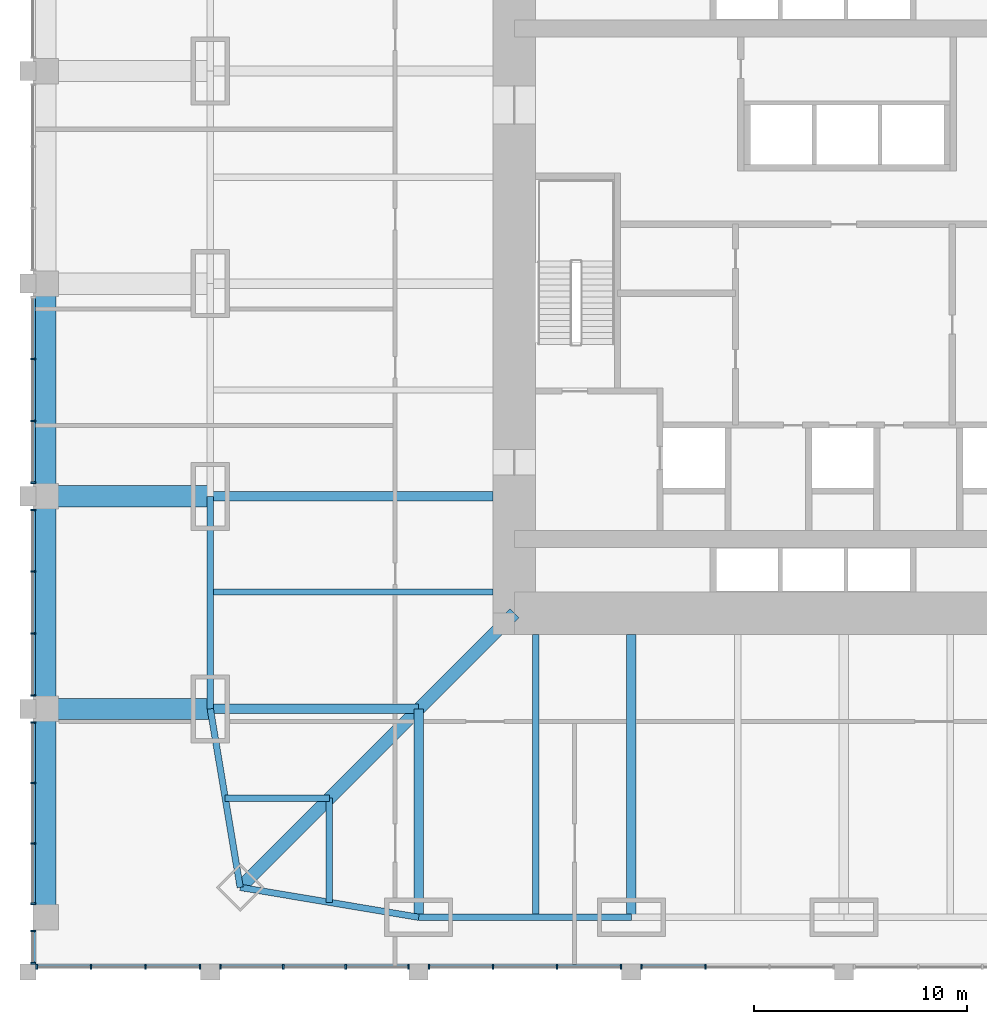
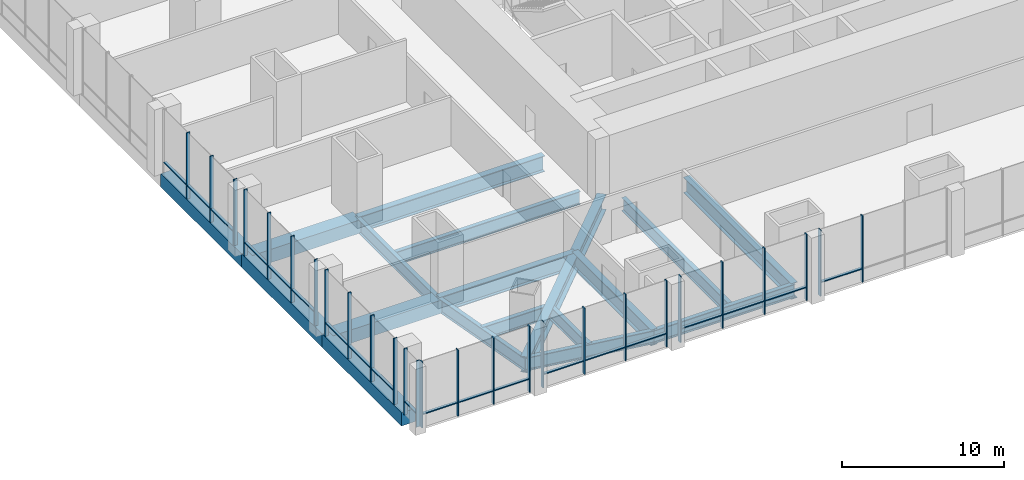
# One storey, part 2 of 24: 47 members, 18 beams, 8 elements without a shape of their own.
"""IFC4 building model written with IfcOpenShell, lengths in metres."""

from ifc_helpers import new_model, si_unit, direction, frame, origin, origin_2d, place, context, subcontext, project, spatial, rectangle, i_section, extrude, material, material_profile, profile_set, type_object, element, aggregate, save


model = new_model("IFC4")

# Units and contexts
model_context = context("Model", 3, precision=1e-05, world=origin(), true_north=direction((0.0, 1.0)))
body_context = subcontext(model_context, "Body", "Model", "MODEL_VIEW")
ifc_project = project(units=[si_unit("LENGTHUNIT", "METRE"), si_unit("AREAUNIT", "SQUARE_METRE"), si_unit("VOLUMEUNIT", "CUBIC_METRE"), si_unit("PLANEANGLEUNIT", "RADIAN"), si_unit("MASSUNIT", "GRAM", prefix="KILO")], contexts=[model_context])

# Site, building, storey
site_placement = place(None, origin())
site = spatial("IfcSite", under=ifc_project, at=site_placement, CompositionType="ELEMENT")
building_placement = place(site_placement, origin())
building = spatial("IfcBuilding", under=site, at=building_placement, Name="Khuree Lantern Residences", CompositionType="ELEMENT")
storey_placement = place(building_placement, frame((0.0, 0.0, 11.0)))
storey = spatial("IfcBuildingStorey", under=building, at=storey_placement, Name="L02", CompositionType="ELEMENT", Elevation=11.0)

# Beams
ifc_material_1 = material(Name="Steel S355", Category="steel")
ifc_material_profile_1 = material_profile(ifc_material_1, i_section(OverallWidth=0.300048828125, OverallDepth=1.0, WebThickness=0.01904296875, FlangeThickness=0.035888671875, FilletRadius=0.030029296875, at=origin_2d()), Name="HE 1000 B")
ifc_profile_set_1 = profile_set([ifc_material_profile_1], Name="Steel S355")
beam_type_1 = type_object("IfcBeamType", Name="B-02 SECONDARY BEAM HE 1000 B", PredefinedType="BEAM", material=ifc_profile_set_1)
beam_1_placement = place(storey_placement, frame((-14.5, -29.800048828125, -0.800048828125), z_axis=(0.0, 1.0, 0.0), x_axis=(-1.0, 0.0, 0.0)))
element("IfcBeam", 1, at=beam_1_placement, inside=storey, type_object=beam_type_1, Name="Secondary beam S5", PredefinedType="BEAM", context=body_context, shape_type="SweptSolid", body=[
    extrude(i_section(OverallWidth=0.300048828125, OverallDepth=1.0, WebThickness=0.01904296875, FlangeThickness=0.035888671875, FilletRadius=0.030029296875, at=origin_2d()), origin(), (0.0, 0.0, 1.0), 13.300048828125),
])
for number, where, z_axis, x_axis, name in (
    (2, (-24.197021484375, -29.09716796875, -0.800048828125), (0.0, 1.0, 0.0), (-1.0, 0.0, 0.0), "Secondary beam S6"),
    (3, (-29.09716796875, -24.197021484375, -0.800048828125), (1.0, 0.0, 0.0), (0.0, 1.0, 0.0), "Secondary beam W1"),
):
    element("IfcBeam", number, at=place(storey_placement, frame(where, z_axis=z_axis, x_axis=x_axis)), inside=storey, type_object=beam_type_1, Name=name, PredefinedType="BEAM", context=body_context, shape_type="SweptSolid", body=[
        extrude(i_section(OverallWidth=0.300048828125, OverallDepth=1.0, WebThickness=0.01904296875, FlangeThickness=0.035888671875, FilletRadius=0.030029296875, at=origin_2d()), origin(), (0.0, 0.0, 1.0), 4.900146484375),
    ])
beam_2_placement = place(storey_placement, frame((-29.800048828125, -14.5, -0.800048828125), z_axis=(1.0, 0.0, 0.0), x_axis=(0.0, 1.0, 0.0)))
element("IfcBeam", 4, at=beam_2_placement, inside=storey, type_object=beam_type_1, Name="Secondary beam W2", PredefinedType="BEAM", context=body_context, shape_type="SweptSolid", body=[
    extrude(i_section(OverallWidth=0.300048828125, OverallDepth=1.0, WebThickness=0.01904296875, FlangeThickness=0.035888671875, FilletRadius=0.030029296875, at=origin_2d()), origin(), (0.0, 0.0, 1.0), 13.300048828125),
])
ifc_material_profile_2 = material_profile(ifc_material_1, i_section(OverallWidth=0.300048828125, OverallDepth=1.0, WebThickness=0.01904296875, FlangeThickness=0.035888671875, FilletRadius=0.030029296875, at=origin_2d()), Name="HE 1000 B")
ifc_profile_set_2 = profile_set([ifc_material_profile_2], Name="Steel S355")
beam_type_2 = type_object("IfcBeamType", Name="E-02 SPANDREL BEAM HE 1000 B", PredefinedType="SPANDREL", material=ifc_profile_set_2)
beam_3_placement = place(storey_placement, frame((-10.0, -29.800048828125, -0.800048828125), z_axis=(-1.0, 0.0, 0.0), x_axis=(0.0, -1.0, 0.0)))
element("IfcBeam", 5, at=beam_3_placement, inside=storey, type_object=beam_type_2, Name="Spandrel beam S5", PredefinedType="SPANDREL", context=body_context, shape_type="SweptSolid", body=[
    extrude(i_section(OverallWidth=0.300048828125, OverallDepth=1.0, WebThickness=0.01904296875, FlangeThickness=0.035888671875, FilletRadius=0.030029296875, at=origin_2d()), origin(), (0.0, 0.0, 1.0), 10.0),
])
for number, where, z_axis, x_axis, name in (
    (6, (-20.0, -29.800048828125, -0.800048828125), (-0.986260251158, 0.165199022349, 0.0), (-0.165199022349, -0.986260251158, 0.0), "Spandrel beam S6"),
    (7, (-28.39404296875, -28.39404296875, -0.800048828125), (-0.165199022349, 0.986260251158, 0.0), (-0.986260251158, -0.165199022349, 0.0), "Spandrel beam W1"),
):
    element("IfcBeam", number, at=place(storey_placement, frame(where, z_axis=z_axis, x_axis=x_axis)), inside=storey, type_object=beam_type_2, Name=name, PredefinedType="SPANDREL", context=body_context, shape_type="SweptSolid", body=[
        extrude(i_section(OverallWidth=0.300048828125, OverallDepth=1.0, WebThickness=0.01904296875, FlangeThickness=0.035888671875, FilletRadius=0.030029296875, at=origin_2d()), origin(), (0.0, 0.0, 1.0), 8.510986328125),
    ])
beam_4_placement = place(storey_placement, frame((-29.800048828125, -20.0, -0.800048828125), z_axis=(0.0, 1.0, 0.0), x_axis=(-1.0, 0.0, 0.0)))
element("IfcBeam", 8, at=beam_4_placement, inside=storey, type_object=beam_type_2, Name="Spandrel beam W2", PredefinedType="SPANDREL", context=body_context, shape_type="SweptSolid", body=[
    extrude(i_section(OverallWidth=0.300048828125, OverallDepth=1.0, WebThickness=0.01904296875, FlangeThickness=0.035888671875, FilletRadius=0.030029296875, at=origin_2d()), origin(), (0.0, 0.0, 1.0), 10.0),
])
ifc_material_profile_3 = material_profile(ifc_material_1, i_section(OverallWidth=0.449951171875, OverallDepth=1.199951171875, WebThickness=0.02490234375, FlangeThickness=0.044921875, at=origin_2d()), Name="WELDED I 1200X450X25X45")
ifc_profile_set_3 = profile_set([ifc_material_profile_3], Name="Steel S355")
beam_type_3 = type_object("IfcBeamType", Name="G-02 GIRDER WELDED I 1200X450X25X45", PredefinedType="BEAM", material=ifc_profile_set_3)
beam_5_placement = place(storey_placement, frame((-10.0, -29.800048828125, -0.89990234375), z_axis=(0.0, 1.0, 0.0), x_axis=(-1.0, 0.0, 0.0)))
element("IfcBeam", 9, at=beam_5_placement, inside=storey, type_object=beam_type_3, Name="Girder S4", PredefinedType="BEAM", context=body_context, shape_type="SweptSolid", body=[
    extrude(i_section(OverallWidth=0.449951171875, OverallDepth=1.199951171875, WebThickness=0.02490234375, FlangeThickness=0.044921875, at=origin_2d()), origin(), (0.0, 0.0, 1.0), 13.300048828125),
])
for number, where, z_axis, x_axis, name in (
    (10, (-20.0, -29.800048828125, -0.89990234375), (0.0, 1.0, 0.0), (-1.0, 0.0, 0.0), "Girder S5"),
    (11, (-29.800048828125, -20.0, -0.89990234375), (1.0, 0.0, 0.0), (0.0, 1.0, 0.0), "Girder W1"),
):
    element("IfcBeam", number, at=place(storey_placement, frame(where, z_axis=z_axis, x_axis=x_axis)), inside=storey, type_object=beam_type_3, Name=name, PredefinedType="BEAM", context=body_context, shape_type="SweptSolid", body=[
        extrude(i_section(OverallWidth=0.449951171875, OverallDepth=1.199951171875, WebThickness=0.02490234375, FlangeThickness=0.044921875, at=origin_2d()), origin(), (0.0, 0.0, 1.0), 9.800048828125),
    ])
beam_6_placement = place(storey_placement, frame((-29.800048828125, -10.0, -0.89990234375), z_axis=(1.0, 0.0, 0.0), x_axis=(0.0, 1.0, 0.0)))
element("IfcBeam", 12, at=beam_6_placement, inside=storey, type_object=beam_type_3, Name="Girder W2", PredefinedType="BEAM", context=body_context, shape_type="SweptSolid", body=[
    extrude(i_section(OverallWidth=0.449951171875, OverallDepth=1.199951171875, WebThickness=0.02490234375, FlangeThickness=0.044921875, at=origin_2d()), origin(), (0.0, 0.0, 1.0), 13.300048828125),
])
ifc_material_profile_4 = material_profile(ifc_material_1, i_section(OverallWidth=0.60009765625, OverallDepth=1.199951171875, WebThickness=0.030029296875, FlangeThickness=0.06005859375, at=origin_2d()), Name="WELDED I 1200X600X30X60")
ifc_profile_set_4 = profile_set([ifc_material_profile_4], Name="Steel S355")
beam_type_4 = type_object("IfcBeamType", Name="GD-02 CORNER GIRDER WELDED I 1200X600X30X60", PredefinedType="BEAM", material=ifc_profile_set_4)
beam_7_placement = place(storey_placement, frame((-28.39404296875, -28.39404296875, -0.89990234375), z_axis=(0.707106781187, 0.707106781187, 0.0), x_axis=(-0.707106781187, 0.707106781187, 0.0)))
element("IfcBeam", 13, at=beam_7_placement, inside=storey, type_object=beam_type_4, Name="Corner girder SW", PredefinedType="BEAM", context=body_context, shape_type="SweptSolid", body=[
    extrude(i_section(OverallWidth=0.60009765625, OverallDepth=1.199951171875, WebThickness=0.030029296875, FlangeThickness=0.06005859375, at=origin_2d()), origin(), (0.0, 0.0, 1.0), 18.23486328125),
])

# Curtain wall, members
ifc_material_2 = material(Name="Bronze anodised aluminium", Category="aluminium")
curtain_wall_type = type_object("IfcCurtainWallType", Name="CW-P PODIUM STOREFRONT CURTAIN WALL", PredefinedType="USERDEFINED", material=ifc_material_2)
curtain_wall_1_placement = place(storey_placement, origin())
curtain_wall_1 = element("IfcCurtainWall", 14, at=curtain_wall_1_placement, inside=storey, type_object=curtain_wall_type, Name="L02 SOUTH FACE BAY 1 STOREFRONT", ObjectType="Storefront curtain wall", PredefinedType="USERDEFINED")
ifc_material_profile_5 = material_profile(ifc_material_2, rectangle(XDim=0.074951171875, YDim=0.25, at=origin_2d()), Name="M5 75X250")
ifc_profile_set_5 = profile_set([ifc_material_profile_5], Name="Bronze anodised aluminium")
member_type_1 = type_object("IfcMemberType", Name="MULLION M5 STOREFRONT 75X250", PredefinedType="MULLION", material=ifc_profile_set_5)
member_1_placement = place(storey_placement, frame((-37.96240234375, -32.125, 0.0), z_axis=(0.0, 0.0, 1.0), x_axis=(1.0, 0.0, 0.0)))
member_1 = element("IfcMember", 15, at=member_1_placement, type_object=member_type_1, Name="L02 SOUTH FACE BAY 1 MULLION 1", PredefinedType="MULLION", context=body_context, shape_type="SweptSolid", body=[
    extrude(rectangle(XDim=0.074951171875, YDim=0.25, at=origin_2d()), origin(), (0.0, 0.0, 1.0), 5.0),
])
member_2_placement = place(storey_placement, frame((-35.404052734375, -32.125, 0.0), z_axis=(0.0, 0.0, 1.0), x_axis=(1.0, 0.0, 0.0)))
member_2 = element("IfcMember", 16, at=member_2_placement, type_object=member_type_1, Name="L02 SOUTH FACE BAY 1 MULLION 2", PredefinedType="MULLION", context=body_context, shape_type="SweptSolid", body=[
    extrude(rectangle(XDim=0.074951171875, YDim=0.25, at=origin_2d()), origin(), (0.0, 0.0, 1.0), 5.0),
])
member_3_placement = place(storey_placement, frame((-32.845947265625, -32.125, 0.0), z_axis=(0.0, 0.0, 1.0), x_axis=(1.0, 0.0, 0.0)))
member_3 = element("IfcMember", 17, at=member_3_placement, type_object=member_type_1, Name="L02 SOUTH FACE BAY 1 MULLION 3", PredefinedType="MULLION", context=body_context, shape_type="SweptSolid", body=[
    extrude(rectangle(XDim=0.074951171875, YDim=0.25, at=origin_2d()), origin(), (0.0, 0.0, 1.0), 5.0),
])
member_4_placement = place(storey_placement, frame((-30.28759765625, -32.125, 0.0), z_axis=(0.0, 0.0, 1.0), x_axis=(1.0, 0.0, 0.0)))
member_4 = element("IfcMember", 18, at=member_4_placement, type_object=member_type_1, Name="L02 SOUTH FACE BAY 1 MULLION 4", PredefinedType="MULLION", context=body_context, shape_type="SweptSolid", body=[
    extrude(rectangle(XDim=0.074951171875, YDim=0.25, at=origin_2d()), origin(), (0.0, 0.0, 1.0), 5.0),
])

curtain_wall_2_placement = place(storey_placement, origin())
curtain_wall_2 = element("IfcCurtainWall", 19, at=curtain_wall_2_placement, inside=storey, type_object=curtain_wall_type, Name="L02 SOUTH FACE BAY 2 STOREFRONT", ObjectType="Storefront curtain wall", PredefinedType="USERDEFINED")
member_5_placement = place(storey_placement, frame((-29.3125, -32.125, 0.0), z_axis=(0.0, 0.0, 1.0), x_axis=(1.0, 0.0, 0.0)))
member_5 = element("IfcMember", 20, at=member_5_placement, type_object=member_type_1, Name="L02 SOUTH FACE BAY 2 MULLION 1", PredefinedType="MULLION", context=body_context, shape_type="SweptSolid", body=[
    extrude(rectangle(XDim=0.074951171875, YDim=0.25, at=origin_2d()), origin(), (0.0, 0.0, 1.0), 5.0),
])
member_6_placement = place(storey_placement, frame((-26.370849609375, -32.125, 0.0), z_axis=(0.0, 0.0, 1.0), x_axis=(1.0, 0.0, 0.0)))
member_6 = element("IfcMember", 21, at=member_6_placement, type_object=member_type_1, Name="L02 SOUTH FACE BAY 2 MULLION 2", PredefinedType="MULLION", context=body_context, shape_type="SweptSolid", body=[
    extrude(rectangle(XDim=0.074951171875, YDim=0.25, at=origin_2d()), origin(), (0.0, 0.0, 1.0), 5.0),
])
member_7_placement = place(storey_placement, frame((-23.42919921875, -32.125, 0.0), z_axis=(0.0, 0.0, 1.0), x_axis=(1.0, 0.0, 0.0)))
member_7 = element("IfcMember", 22, at=member_7_placement, type_object=member_type_1, Name="L02 SOUTH FACE BAY 2 MULLION 3", PredefinedType="MULLION", context=body_context, shape_type="SweptSolid", body=[
    extrude(rectangle(XDim=0.074951171875, YDim=0.25, at=origin_2d()), origin(), (0.0, 0.0, 1.0), 5.0),
])
member_8_placement = place(storey_placement, frame((-20.487548828125, -32.125, 0.0), z_axis=(0.0, 0.0, 1.0), x_axis=(1.0, 0.0, 0.0)))
member_8 = element("IfcMember", 23, at=member_8_placement, type_object=member_type_1, Name="L02 SOUTH FACE BAY 2 MULLION 4", PredefinedType="MULLION", context=body_context, shape_type="SweptSolid", body=[
    extrude(rectangle(XDim=0.074951171875, YDim=0.25, at=origin_2d()), origin(), (0.0, 0.0, 1.0), 5.0),
])

curtain_wall_3_placement = place(storey_placement, origin())
curtain_wall_3 = element("IfcCurtainWall", 24, at=curtain_wall_3_placement, inside=storey, type_object=curtain_wall_type, Name="L02 SOUTH FACE BAY 3 STOREFRONT", ObjectType="Storefront curtain wall", PredefinedType="USERDEFINED")
member_9_placement = place(storey_placement, frame((-19.512451171875, -32.125, 0.0), z_axis=(0.0, 0.0, 1.0), x_axis=(1.0, 0.0, 0.0)))
member_9 = element("IfcMember", 25, at=member_9_placement, type_object=member_type_1, Name="L02 SOUTH FACE BAY 3 MULLION 1", PredefinedType="MULLION", context=body_context, shape_type="SweptSolid", body=[
    extrude(rectangle(XDim=0.074951171875, YDim=0.25, at=origin_2d()), origin(), (0.0, 0.0, 1.0), 5.0),
])
member_10_placement = place(storey_placement, frame((-16.504150390625, -32.125, 0.0), z_axis=(0.0, 0.0, 1.0), x_axis=(1.0, 0.0, 0.0)))
member_10 = element("IfcMember", 26, at=member_10_placement, type_object=member_type_1, Name="L02 SOUTH FACE BAY 3 MULLION 2", PredefinedType="MULLION", context=body_context, shape_type="SweptSolid", body=[
    extrude(rectangle(XDim=0.074951171875, YDim=0.25, at=origin_2d()), origin(), (0.0, 0.0, 1.0), 5.0),
])
member_11_placement = place(storey_placement, frame((-13.495849609375, -32.125, 0.0), z_axis=(0.0, 0.0, 1.0), x_axis=(1.0, 0.0, 0.0)))
member_11 = element("IfcMember", 27, at=member_11_placement, type_object=member_type_1, Name="L02 SOUTH FACE BAY 3 MULLION 3", PredefinedType="MULLION", context=body_context, shape_type="SweptSolid", body=[
    extrude(rectangle(XDim=0.074951171875, YDim=0.25, at=origin_2d()), origin(), (0.0, 0.0, 1.0), 5.0),
])
member_12_placement = place(storey_placement, frame((-10.487548828125, -32.125, 0.0), z_axis=(0.0, 0.0, 1.0), x_axis=(1.0, 0.0, 0.0)))
member_12 = element("IfcMember", 28, at=member_12_placement, type_object=member_type_1, Name="L02 SOUTH FACE BAY 3 MULLION 4", PredefinedType="MULLION", context=body_context, shape_type="SweptSolid", body=[
    extrude(rectangle(XDim=0.074951171875, YDim=0.25, at=origin_2d()), origin(), (0.0, 0.0, 1.0), 5.0),
])

curtain_wall_4_placement = place(storey_placement, origin())
curtain_wall_4 = element("IfcCurtainWall", 29, at=curtain_wall_4_placement, inside=storey, type_object=curtain_wall_type, Name="L02 SOUTH FACE BAY 4 STOREFRONT", ObjectType="Storefront curtain wall", PredefinedType="USERDEFINED")
member_13_placement = place(storey_placement, frame((-9.512451171875, -32.125, 0.0), z_axis=(0.0, 0.0, 1.0), x_axis=(1.0, 0.0, 0.0)))
member_13 = element("IfcMember", 30, at=member_13_placement, type_object=member_type_1, Name="L02 SOUTH FACE BAY 4 MULLION 1", PredefinedType="MULLION", context=body_context, shape_type="SweptSolid", body=[
    extrude(rectangle(XDim=0.074951171875, YDim=0.25, at=origin_2d()), origin(), (0.0, 0.0, 1.0), 5.0),
])
member_14_placement = place(storey_placement, frame((-6.504150390625, -32.125, 0.0), z_axis=(0.0, 0.0, 1.0), x_axis=(1.0, 0.0, 0.0)))
member_14 = element("IfcMember", 31, at=member_14_placement, type_object=member_type_1, Name="L02 SOUTH FACE BAY 4 MULLION 2", PredefinedType="MULLION", context=body_context, shape_type="SweptSolid", body=[
    extrude(rectangle(XDim=0.074951171875, YDim=0.25, at=origin_2d()), origin(), (0.0, 0.0, 1.0), 5.0),
])

curtain_wall_5_placement = place(storey_placement, origin())
curtain_wall_5 = element("IfcCurtainWall", 32, at=curtain_wall_5_placement, inside=storey, type_object=curtain_wall_type, Name="L02 WEST FACE BAY 6 STOREFRONT", ObjectType="Storefront curtain wall", PredefinedType="USERDEFINED")
member_15_placement = place(storey_placement, frame((-38.125, -3.5458984375, 0.0), z_axis=(0.0, 0.0, 1.0), x_axis=(0.0, -1.0, 0.0)))
member_15 = element("IfcMember", 33, at=member_15_placement, type_object=member_type_1, Name="L02 WEST FACE BAY 6 MULLION 2", PredefinedType="MULLION", context=body_context, shape_type="SweptSolid", body=[
    extrude(rectangle(XDim=0.074951171875, YDim=0.25, at=origin_2d()), origin(), (0.0, 0.0, 1.0), 5.0),
])
member_16_placement = place(storey_placement, frame((-38.125, -6.4541015625, 0.0), z_axis=(0.0, 0.0, 1.0), x_axis=(0.0, -1.0, 0.0)))
member_16 = element("IfcMember", 34, at=member_16_placement, type_object=member_type_1, Name="L02 WEST FACE BAY 6 MULLION 3", PredefinedType="MULLION", context=body_context, shape_type="SweptSolid", body=[
    extrude(rectangle(XDim=0.074951171875, YDim=0.25, at=origin_2d()), origin(), (0.0, 0.0, 1.0), 5.0),
])
member_17_placement = place(storey_placement, frame((-38.125, -9.362548828125, 0.0), z_axis=(0.0, 0.0, 1.0), x_axis=(0.0, -1.0, 0.0)))
member_17 = element("IfcMember", 35, at=member_17_placement, type_object=member_type_1, Name="L02 WEST FACE BAY 6 MULLION 4", PredefinedType="MULLION", context=body_context, shape_type="SweptSolid", body=[
    extrude(rectangle(XDim=0.074951171875, YDim=0.25, at=origin_2d()), origin(), (0.0, 0.0, 1.0), 5.0),
])

curtain_wall_6_placement = place(storey_placement, origin())
curtain_wall_6 = element("IfcCurtainWall", 36, at=curtain_wall_6_placement, inside=storey, type_object=curtain_wall_type, Name="L02 WEST FACE BAY 7 STOREFRONT", ObjectType="Storefront curtain wall", PredefinedType="USERDEFINED")
member_18_placement = place(storey_placement, frame((-38.125, -10.637451171875, 0.0), z_axis=(0.0, 0.0, 1.0), x_axis=(0.0, -1.0, 0.0)))
member_18 = element("IfcMember", 37, at=member_18_placement, type_object=member_type_1, Name="L02 WEST FACE BAY 7 MULLION 1", PredefinedType="MULLION", context=body_context, shape_type="SweptSolid", body=[
    extrude(rectangle(XDim=0.074951171875, YDim=0.25, at=origin_2d()), origin(), (0.0, 0.0, 1.0), 5.0),
])
member_19_placement = place(storey_placement, frame((-38.125, -13.5458984375, 0.0), z_axis=(0.0, 0.0, 1.0), x_axis=(0.0, -1.0, 0.0)))
member_19 = element("IfcMember", 38, at=member_19_placement, type_object=member_type_1, Name="L02 WEST FACE BAY 7 MULLION 2", PredefinedType="MULLION", context=body_context, shape_type="SweptSolid", body=[
    extrude(rectangle(XDim=0.074951171875, YDim=0.25, at=origin_2d()), origin(), (0.0, 0.0, 1.0), 5.0),
])
member_20_placement = place(storey_placement, frame((-38.125, -16.4541015625, 0.0), z_axis=(0.0, 0.0, 1.0), x_axis=(0.0, -1.0, 0.0)))
member_20 = element("IfcMember", 39, at=member_20_placement, type_object=member_type_1, Name="L02 WEST FACE BAY 7 MULLION 3", PredefinedType="MULLION", context=body_context, shape_type="SweptSolid", body=[
    extrude(rectangle(XDim=0.074951171875, YDim=0.25, at=origin_2d()), origin(), (0.0, 0.0, 1.0), 5.0),
])
member_21_placement = place(storey_placement, frame((-38.125, -19.362548828125, 0.0), z_axis=(0.0, 0.0, 1.0), x_axis=(0.0, -1.0, 0.0)))
member_21 = element("IfcMember", 40, at=member_21_placement, type_object=member_type_1, Name="L02 WEST FACE BAY 7 MULLION 4", PredefinedType="MULLION", context=body_context, shape_type="SweptSolid", body=[
    extrude(rectangle(XDim=0.074951171875, YDim=0.25, at=origin_2d()), origin(), (0.0, 0.0, 1.0), 5.0),
])

curtain_wall_7_placement = place(storey_placement, origin())
curtain_wall_7 = element("IfcCurtainWall", 41, at=curtain_wall_7_placement, inside=storey, type_object=curtain_wall_type, Name="L02 WEST FACE BAY 8 STOREFRONT", ObjectType="Storefront curtain wall", PredefinedType="USERDEFINED")
member_22_placement = place(storey_placement, frame((-38.125, -20.637451171875, 0.0), z_axis=(0.0, 0.0, 1.0), x_axis=(0.0, -1.0, 0.0)))
member_22 = element("IfcMember", 42, at=member_22_placement, type_object=member_type_1, Name="L02 WEST FACE BAY 8 MULLION 1", PredefinedType="MULLION", context=body_context, shape_type="SweptSolid", body=[
    extrude(rectangle(XDim=0.074951171875, YDim=0.25, at=origin_2d()), origin(), (0.0, 0.0, 1.0), 5.0),
])
member_23_placement = place(storey_placement, frame((-38.125, -23.479248046875, 0.0), z_axis=(0.0, 0.0, 1.0), x_axis=(0.0, -1.0, 0.0)))
member_23 = element("IfcMember", 43, at=member_23_placement, type_object=member_type_1, Name="L02 WEST FACE BAY 8 MULLION 2", PredefinedType="MULLION", context=body_context, shape_type="SweptSolid", body=[
    extrude(rectangle(XDim=0.074951171875, YDim=0.25, at=origin_2d()), origin(), (0.0, 0.0, 1.0), 5.0),
])
member_24_placement = place(storey_placement, frame((-38.125, -26.32080078125, 0.0), z_axis=(0.0, 0.0, 1.0), x_axis=(0.0, -1.0, 0.0)))
member_24 = element("IfcMember", 44, at=member_24_placement, type_object=member_type_1, Name="L02 WEST FACE BAY 8 MULLION 3", PredefinedType="MULLION", context=body_context, shape_type="SweptSolid", body=[
    extrude(rectangle(XDim=0.074951171875, YDim=0.25, at=origin_2d()), origin(), (0.0, 0.0, 1.0), 5.0),
])
member_25_placement = place(storey_placement, frame((-38.125, -29.16259765625, 0.0), z_axis=(0.0, 0.0, 1.0), x_axis=(0.0, -1.0, 0.0)))
member_25 = element("IfcMember", 45, at=member_25_placement, type_object=member_type_1, Name="L02 WEST FACE BAY 8 MULLION 4", PredefinedType="MULLION", context=body_context, shape_type="SweptSolid", body=[
    extrude(rectangle(XDim=0.074951171875, YDim=0.25, at=origin_2d()), origin(), (0.0, 0.0, 1.0), 5.0),
])

curtain_wall_8_placement = place(storey_placement, origin())
curtain_wall_8 = element("IfcCurtainWall", 46, at=curtain_wall_8_placement, inside=storey, type_object=curtain_wall_type, Name="L02 WEST FACE BAY 8B STOREFRONT", ObjectType="Storefront curtain wall", PredefinedType="USERDEFINED")
member_26_placement = place(storey_placement, frame((-38.125, -30.4375, 0.0), z_axis=(0.0, 0.0, 1.0), x_axis=(0.0, -1.0, 0.0)))
member_26 = element("IfcMember", 47, at=member_26_placement, type_object=member_type_1, Name="L02 WEST FACE BAY 8B MULLION 1", PredefinedType="MULLION", context=body_context, shape_type="SweptSolid", body=[
    extrude(rectangle(XDim=0.074951171875, YDim=0.25, at=origin_2d()), origin(), (0.0, 0.0, 1.0), 5.0),
])
member_27_placement = place(storey_placement, frame((-38.125, -31.96240234375, 0.0), z_axis=(0.0, 0.0, 1.0), x_axis=(0.0, -1.0, 0.0)))
member_27 = element("IfcMember", 48, at=member_27_placement, type_object=member_type_1, Name="L02 WEST FACE BAY 8B MULLION 2", PredefinedType="MULLION", context=body_context, shape_type="SweptSolid", body=[
    extrude(rectangle(XDim=0.074951171875, YDim=0.25, at=origin_2d()), origin(), (0.0, 0.0, 1.0), 5.0),
])

# Beams
ifc_material_3 = material(Name="Concrete C40/50", Category="concrete")
ifc_material_profile_6 = material_profile(ifc_material_3, rectangle(XDim=1.0, YDim=1.0, at=origin_2d()), Name="RC 1000X1000")
ifc_profile_set_6 = profile_set([ifc_material_profile_6], Name="Concrete C40/50")
beam_type_5 = type_object("IfcBeamType", Name="RB3 PODIUM BEAM RC 1000X1000", PredefinedType="BEAM", material=ifc_profile_set_6)
for number, where, z_axis, x_axis, name in (
    (49, (-37.550048828125, -20.0, -0.800048828125), (1.0, 0.0, 0.0), (0.0, 1.0, 0.0), "Podium beam RB-1"),
    (50, (-37.550048828125, -10.0, -0.800048828125), (1.0, 0.0, 0.0), (0.0, 1.0, 0.0), "Podium beam RB-3"),
):
    element("IfcBeam", number, at=place(storey_placement, frame(where, z_axis=z_axis, x_axis=x_axis)), inside=storey, type_object=beam_type_5, Name=name, PredefinedType="BEAM", context=body_context, shape_type="SweptSolid", body=[
        extrude(rectangle(XDim=1.0, YDim=1.0, at=origin_2d()), origin(), (0.0, 0.0, 1.0), 7.75),
    ])
beam_8_placement = place(storey_placement, frame((-37.550048828125, -29.800048828125, -0.800048828125), z_axis=(0.0, 1.0, 0.0), x_axis=(-1.0, 0.0, 0.0)))
element("IfcBeam", 51, at=beam_8_placement, inside=storey, type_object=beam_type_5, Name="Podium beam RB-25", PredefinedType="BEAM", context=body_context, shape_type="SweptSolid", body=[
    extrude(rectangle(XDim=1.0, YDim=1.0, at=origin_2d()), origin(), (0.0, 0.0, 1.0), 9.800048828125),
])
for number, where, z_axis, x_axis, name in (
    (52, (-37.550048828125, -20.0, -0.800048828125), (0.0, 1.0, 0.0), (-1.0, 0.0, 0.0), "Podium beam RB-26"),
    (53, (-37.550048828125, -10.0, -0.800048828125), (0.0, 1.0, 0.0), (-1.0, 0.0, 0.0), "Podium beam RB-27"),
):
    element("IfcBeam", number, at=place(storey_placement, frame(where, z_axis=z_axis, x_axis=x_axis)), inside=storey, type_object=beam_type_5, Name=name, PredefinedType="BEAM", context=body_context, shape_type="SweptSolid", body=[
        extrude(rectangle(XDim=1.0, YDim=1.0, at=origin_2d()), origin(), (0.0, 0.0, 1.0), 10.0),
    ])

# Member
ifc_material_profile_7 = material_profile(ifc_material_2, rectangle(XDim=0.199951171875, YDim=0.074951171875, at=origin_2d()), Name="T5 200X75")
ifc_profile_set_7 = profile_set([ifc_material_profile_7], Name="Bronze anodised aluminium")
member_type_2 = type_object("IfcMemberType", Name="TRANSOM T5 STOREFRONT 200X75", PredefinedType="USERDEFINED", material=ifc_profile_set_7)
member_28_placement = place(storey_placement, frame((-37.925048828125, -32.1201171875, 1.0), z_axis=(1.0, 0.0, 0.0), x_axis=(0.0, 1.0, 0.0)))
member_28 = element("IfcMember", 54, at=member_28_placement, type_object=member_type_2, Name="L02 SOUTH FACE BAY 1 TRANSOM 1", ObjectType="Transom", PredefinedType="USERDEFINED", context=body_context, shape_type="SweptSolid", body=[
    extrude(rectangle(XDim=0.199951171875, YDim=0.074951171875, at=origin_2d()), origin(), (0.0, 0.0, 1.0), 2.4833984375),
])

member_29_placement = place(storey_placement, frame((-35.36669921875, -32.1201171875, 1.0), z_axis=(1.0, 0.0, 0.0), x_axis=(0.0, 1.0, 0.0)))
member_29 = element("IfcMember", 55, at=member_29_placement, type_object=member_type_2, Name="L02 SOUTH FACE BAY 1 TRANSOM 2", ObjectType="Transom", PredefinedType="USERDEFINED", context=body_context, shape_type="SweptSolid", body=[
    extrude(rectangle(XDim=0.199951171875, YDim=0.074951171875, at=origin_2d()), origin(), (0.0, 0.0, 1.0), 2.4833984375),
])

member_30_placement = place(storey_placement, frame((-32.808349609375, -32.1201171875, 1.0), z_axis=(1.0, 0.0, 0.0), x_axis=(0.0, 1.0, 0.0)))
member_30 = element("IfcMember", 56, at=member_30_placement, type_object=member_type_2, Name="L02 SOUTH FACE BAY 1 TRANSOM 3", ObjectType="Transom", PredefinedType="USERDEFINED", context=body_context, shape_type="SweptSolid", body=[
    extrude(rectangle(XDim=0.199951171875, YDim=0.074951171875, at=origin_2d()), origin(), (0.0, 0.0, 1.0), 2.4833984375),
])

aggregate(curtain_wall_1, [member_1, member_2, member_3, member_4, member_28, member_29, member_30])

member_31_placement = place(storey_placement, frame((-29.27490234375, -32.1201171875, 1.0), z_axis=(1.0, 0.0, 0.0), x_axis=(0.0, 1.0, 0.0)))
member_31 = element("IfcMember", 57, at=member_31_placement, type_object=member_type_2, Name="L02 SOUTH FACE BAY 2 TRANSOM 1", ObjectType="Transom", PredefinedType="USERDEFINED", context=body_context, shape_type="SweptSolid", body=[
    extrude(rectangle(XDim=0.199951171875, YDim=0.074951171875, at=origin_2d()), origin(), (0.0, 0.0, 1.0), 2.866455078125),
])

member_32_placement = place(storey_placement, frame((-26.333251953125, -32.1201171875, 1.0), z_axis=(1.0, 0.0, 0.0), x_axis=(0.0, 1.0, 0.0)))
member_32 = element("IfcMember", 58, at=member_32_placement, type_object=member_type_2, Name="L02 SOUTH FACE BAY 2 TRANSOM 2", ObjectType="Transom", PredefinedType="USERDEFINED", context=body_context, shape_type="SweptSolid", body=[
    extrude(rectangle(XDim=0.199951171875, YDim=0.074951171875, at=origin_2d()), origin(), (0.0, 0.0, 1.0), 2.86669921875),
])

member_33_placement = place(storey_placement, frame((-23.3916015625, -32.1201171875, 1.0), z_axis=(1.0, 0.0, 0.0), x_axis=(0.0, 1.0, 0.0)))
member_33 = element("IfcMember", 59, at=member_33_placement, type_object=member_type_2, Name="L02 SOUTH FACE BAY 2 TRANSOM 3", ObjectType="Transom", PredefinedType="USERDEFINED", context=body_context, shape_type="SweptSolid", body=[
    extrude(rectangle(XDim=0.199951171875, YDim=0.074951171875, at=origin_2d()), origin(), (0.0, 0.0, 1.0), 2.86669921875),
])

aggregate(curtain_wall_2, [member_5, member_6, member_7, member_8, member_31, member_32, member_33])

member_34_placement = place(storey_placement, frame((-19.47509765625, -32.1201171875, 1.0), z_axis=(1.0, 0.0, 0.0), x_axis=(0.0, 1.0, 0.0)))
member_34 = element("IfcMember", 60, at=member_34_placement, type_object=member_type_2, Name="L02 SOUTH FACE BAY 3 TRANSOM 1", ObjectType="Transom", PredefinedType="USERDEFINED", context=body_context, shape_type="SweptSolid", body=[
    extrude(rectangle(XDim=0.199951171875, YDim=0.074951171875, at=origin_2d()), origin(), (0.0, 0.0, 1.0), 2.933349609375),
])

member_35_placement = place(storey_placement, frame((-16.466552734375, -32.1201171875, 1.0), z_axis=(1.0, 0.0, 0.0), x_axis=(0.0, 1.0, 0.0)))
member_35 = element("IfcMember", 61, at=member_35_placement, type_object=member_type_2, Name="L02 SOUTH FACE BAY 3 TRANSOM 2", ObjectType="Transom", PredefinedType="USERDEFINED", context=body_context, shape_type="SweptSolid", body=[
    extrude(rectangle(XDim=0.199951171875, YDim=0.074951171875, at=origin_2d()), origin(), (0.0, 0.0, 1.0), 2.93310546875),
])

member_36_placement = place(storey_placement, frame((-13.458251953125, -32.1201171875, 1.0), z_axis=(1.0, 0.0, 0.0), x_axis=(0.0, 1.0, 0.0)))
member_36 = element("IfcMember", 62, at=member_36_placement, type_object=member_type_2, Name="L02 SOUTH FACE BAY 3 TRANSOM 3", ObjectType="Transom", PredefinedType="USERDEFINED", context=body_context, shape_type="SweptSolid", body=[
    extrude(rectangle(XDim=0.199951171875, YDim=0.074951171875, at=origin_2d()), origin(), (0.0, 0.0, 1.0), 2.933349609375),
])

aggregate(curtain_wall_3, [member_9, member_10, member_11, member_12, member_34, member_35, member_36])

member_37_placement = place(storey_placement, frame((-9.47509765625, -32.1201171875, 1.0), z_axis=(1.0, 0.0, 0.0), x_axis=(0.0, 1.0, 0.0)))
member_37 = element("IfcMember", 63, at=member_37_placement, type_object=member_type_2, Name="L02 SOUTH FACE BAY 4 TRANSOM 1", ObjectType="Transom", PredefinedType="USERDEFINED", context=body_context, shape_type="SweptSolid", body=[
    extrude(rectangle(XDim=0.199951171875, YDim=0.074951171875, at=origin_2d()), origin(), (0.0, 0.0, 1.0), 2.933349609375),
])

aggregate(curtain_wall_4, [member_13, member_14, member_37])

member_38_placement = place(storey_placement, frame((-38.1201171875, -0.675048828125, 1.0), z_axis=(0.0, -1.0, 0.0), x_axis=(1.0, 0.0, 0.0)))
member_38 = element("IfcMember", 64, at=member_38_placement, type_object=member_type_2, Name="L02 WEST FACE BAY 6 TRANSOM 1", ObjectType="Transom", PredefinedType="USERDEFINED", context=body_context, shape_type="SweptSolid", body=[
    extrude(rectangle(XDim=0.199951171875, YDim=0.074951171875, at=origin_2d()), origin(), (0.0, 0.0, 1.0), 2.833251953125),
])

member_39_placement = place(storey_placement, frame((-38.1201171875, -3.583251953125, 1.0), z_axis=(0.0, -1.0, 0.0), x_axis=(1.0, 0.0, 0.0)))
member_39 = element("IfcMember", 65, at=member_39_placement, type_object=member_type_2, Name="L02 WEST FACE BAY 6 TRANSOM 2", ObjectType="Transom", PredefinedType="USERDEFINED", context=body_context, shape_type="SweptSolid", body=[
    extrude(rectangle(XDim=0.199951171875, YDim=0.074951171875, at=origin_2d()), origin(), (0.0, 0.0, 1.0), 2.83349609375),
])

member_40_placement = place(storey_placement, frame((-38.1201171875, -6.49169921875, 1.0), z_axis=(0.0, -1.0, 0.0), x_axis=(1.0, 0.0, 0.0)))
member_40 = element("IfcMember", 66, at=member_40_placement, type_object=member_type_2, Name="L02 WEST FACE BAY 6 TRANSOM 3", ObjectType="Transom", PredefinedType="USERDEFINED", context=body_context, shape_type="SweptSolid", body=[
    extrude(rectangle(XDim=0.199951171875, YDim=0.074951171875, at=origin_2d()), origin(), (0.0, 0.0, 1.0), 2.833251953125),
])

aggregate(curtain_wall_5, [member_15, member_16, member_17, member_38, member_39, member_40])

member_41_placement = place(storey_placement, frame((-38.1201171875, -10.675048828125, 1.0), z_axis=(0.0, -1.0, 0.0), x_axis=(1.0, 0.0, 0.0)))
member_41 = element("IfcMember", 67, at=member_41_placement, type_object=member_type_2, Name="L02 WEST FACE BAY 7 TRANSOM 1", ObjectType="Transom", PredefinedType="USERDEFINED", context=body_context, shape_type="SweptSolid", body=[
    extrude(rectangle(XDim=0.199951171875, YDim=0.074951171875, at=origin_2d()), origin(), (0.0, 0.0, 1.0), 2.833251953125),
])

member_42_placement = place(storey_placement, frame((-38.1201171875, -13.583251953125, 1.0), z_axis=(0.0, -1.0, 0.0), x_axis=(1.0, 0.0, 0.0)))
member_42 = element("IfcMember", 68, at=member_42_placement, type_object=member_type_2, Name="L02 WEST FACE BAY 7 TRANSOM 2", ObjectType="Transom", PredefinedType="USERDEFINED", context=body_context, shape_type="SweptSolid", body=[
    extrude(rectangle(XDim=0.199951171875, YDim=0.074951171875, at=origin_2d()), origin(), (0.0, 0.0, 1.0), 2.83349609375),
])

member_43_placement = place(storey_placement, frame((-38.1201171875, -16.49169921875, 1.0), z_axis=(0.0, -1.0, 0.0), x_axis=(1.0, 0.0, 0.0)))
member_43 = element("IfcMember", 69, at=member_43_placement, type_object=member_type_2, Name="L02 WEST FACE BAY 7 TRANSOM 3", ObjectType="Transom", PredefinedType="USERDEFINED", context=body_context, shape_type="SweptSolid", body=[
    extrude(rectangle(XDim=0.199951171875, YDim=0.074951171875, at=origin_2d()), origin(), (0.0, 0.0, 1.0), 2.833251953125),
])

aggregate(curtain_wall_6, [member_18, member_19, member_20, member_21, member_41, member_42, member_43])

member_44_placement = place(storey_placement, frame((-38.1201171875, -20.675048828125, 1.0), z_axis=(0.0, -1.0, 0.0), x_axis=(1.0, 0.0, 0.0)))
member_44 = element("IfcMember", 70, at=member_44_placement, type_object=member_type_2, Name="L02 WEST FACE BAY 8 TRANSOM 1", ObjectType="Transom", PredefinedType="USERDEFINED", context=body_context, shape_type="SweptSolid", body=[
    extrude(rectangle(XDim=0.199951171875, YDim=0.074951171875, at=origin_2d()), origin(), (0.0, 0.0, 1.0), 2.7666015625),
])

member_45_placement = place(storey_placement, frame((-38.1201171875, -23.5166015625, 1.0), z_axis=(0.0, -1.0, 0.0), x_axis=(1.0, 0.0, 0.0)))
member_45 = element("IfcMember", 71, at=member_45_placement, type_object=member_type_2, Name="L02 WEST FACE BAY 8 TRANSOM 2", ObjectType="Transom", PredefinedType="USERDEFINED", context=body_context, shape_type="SweptSolid", body=[
    extrude(rectangle(XDim=0.199951171875, YDim=0.074951171875, at=origin_2d()), origin(), (0.0, 0.0, 1.0), 2.766845703125),
])

member_46_placement = place(storey_placement, frame((-38.1201171875, -26.3583984375, 1.0), z_axis=(0.0, -1.0, 0.0), x_axis=(1.0, 0.0, 0.0)))
member_46 = element("IfcMember", 72, at=member_46_placement, type_object=member_type_2, Name="L02 WEST FACE BAY 8 TRANSOM 3", ObjectType="Transom", PredefinedType="USERDEFINED", context=body_context, shape_type="SweptSolid", body=[
    extrude(rectangle(XDim=0.199951171875, YDim=0.074951171875, at=origin_2d()), origin(), (0.0, 0.0, 1.0), 2.7666015625),
])

aggregate(curtain_wall_7, [member_22, member_23, member_24, member_25, member_44, member_45, member_46])

member_47_placement = place(storey_placement, frame((-38.1201171875, -30.47509765625, 1.0), z_axis=(0.0, -1.0, 0.0), x_axis=(1.0, 0.0, 0.0)))
member_47 = element("IfcMember", 73, at=member_47_placement, type_object=member_type_2, Name="L02 WEST FACE BAY 8B TRANSOM 1", ObjectType="Transom", PredefinedType="USERDEFINED", context=body_context, shape_type="SweptSolid", body=[
    extrude(rectangle(XDim=0.199951171875, YDim=0.074951171875, at=origin_2d()), origin(), (0.0, 0.0, 1.0), 1.449951171875),
])

aggregate(curtain_wall_8, [member_26, member_27, member_47])

save(model, "model.ifc")
